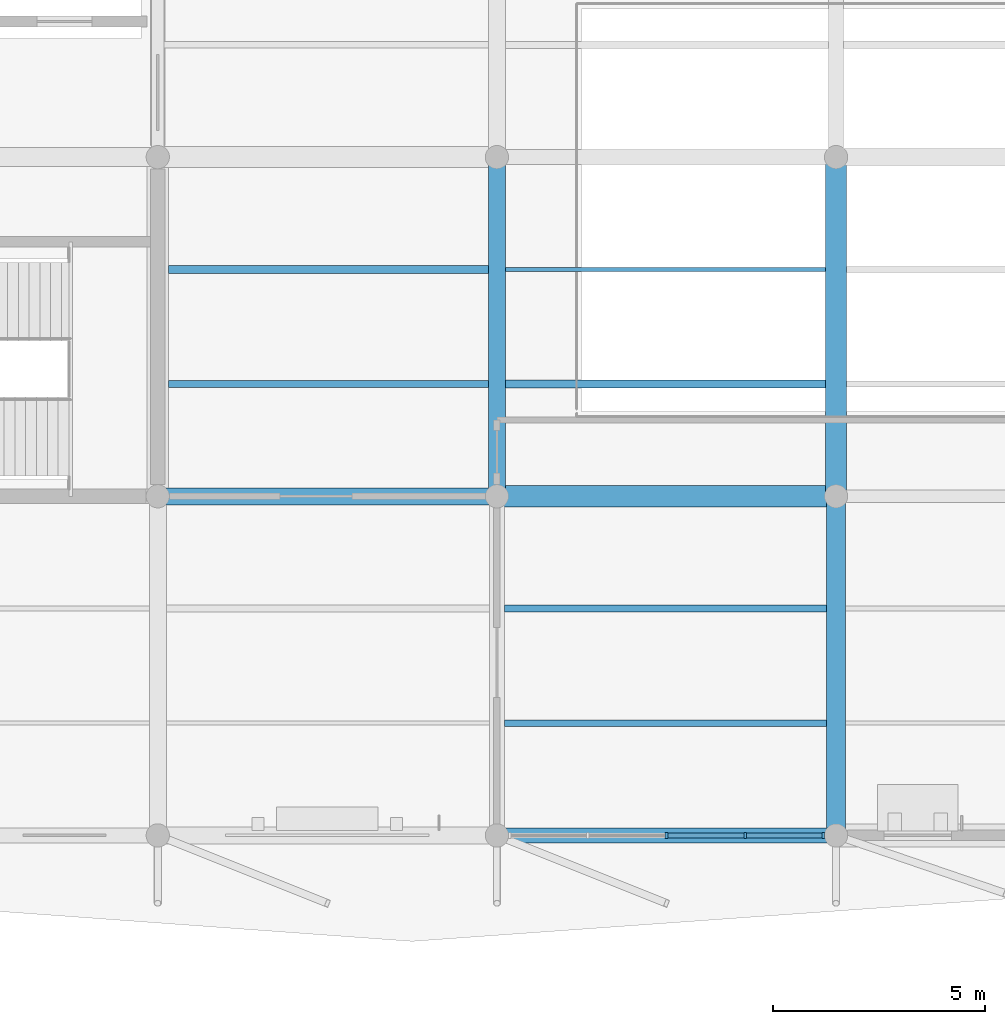
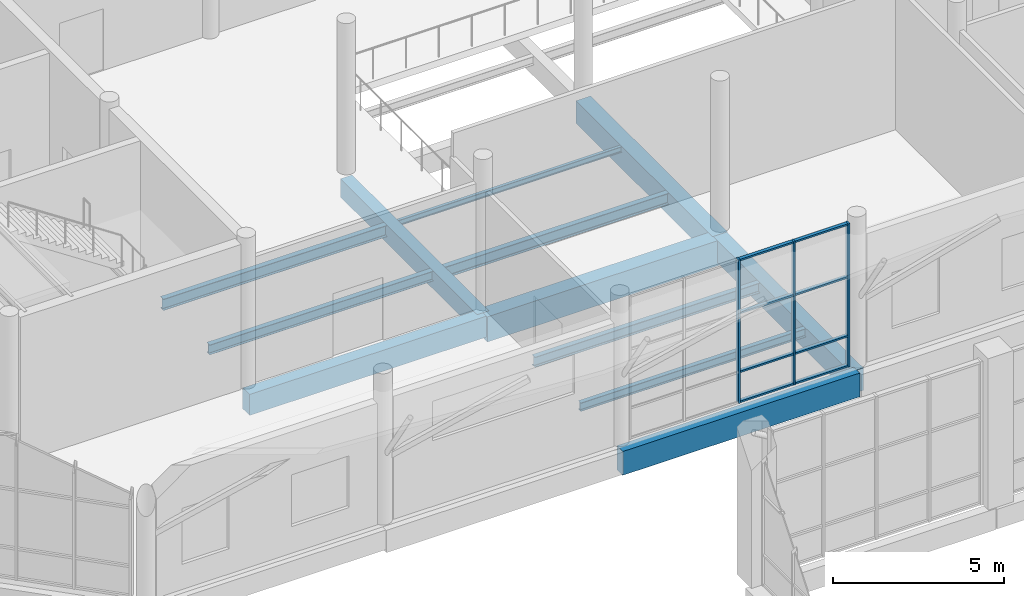
# One storey, part 45 of 122: 12 beams, 11 members, 1 element without a shape of its own.
"""IFC4 building model written with IfcOpenShell, lengths in metres."""

from ifc_helpers import new_model, si_unit, direction, frame, origin, origin_2d, place, context, subcontext, project, spatial, rectangle, i_section, extrude, material, material_profile, profile_set, type_object, element, aggregate, save


model = new_model("IFC4")

# Units and contexts
model_context = context("Model", 3, precision=1e-05, world=origin(), true_north=direction((0.0, 1.0)))
body_context = subcontext(model_context, "Body", "Model", "MODEL_VIEW")
ifc_project = project(units=[si_unit("LENGTHUNIT", "METRE"), si_unit("AREAUNIT", "SQUARE_METRE"), si_unit("VOLUMEUNIT", "CUBIC_METRE"), si_unit("PLANEANGLEUNIT", "RADIAN"), si_unit("MASSUNIT", "GRAM", prefix="KILO")], contexts=[model_context])

# Site, building, storey
site_placement = place(None, origin())
site = spatial("IfcSite", under=ifc_project, at=site_placement, CompositionType="ELEMENT")
building_placement = place(site_placement, origin())
building = spatial("IfcBuilding", under=site, at=building_placement, Name="Tenunan Teduh Sports Hall", CompositionType="ELEMENT")
storey_placement = place(building_placement, frame((0.0, 0.0, 5.39990234375)))
storey = spatial("IfcBuildingStorey", under=building, at=storey_placement, Name="L01", CompositionType="ELEMENT", Elevation=5.39990234375)

# Beams
ifc_material_1 = material(Name="Concrete C40/50", Category="concrete")
ifc_material_profile_1 = material_profile(ifc_material_1, rectangle(XDim=0.39990234375, YDim=0.64990234375, at=origin_2d()), Name="RCB 400x650")
ifc_profile_set_1 = profile_set([ifc_material_profile_1], Name="Concrete C40/50")
beam_type_1 = type_object("IfcBeamType", Name="BM-RC-400x650", PredefinedType="BEAM", material=ifc_profile_set_1)
beam_1_placement = place(storey_placement, frame((122.0, 94.0, -0.5849609375), z_axis=(0.0, 1.0, 0.0), x_axis=(-1.0, 0.0, 0.0)))
element("IfcBeam", 1, at=beam_1_placement, inside=storey, type_object=beam_type_1, Name="BM-B-07-L01-1274", PredefinedType="BEAM", context=body_context, shape_type="SweptSolid", body=[
    extrude(rectangle(XDim=0.39990234375, YDim=0.64990234375, at=origin_2d()), origin(), (0.0, 0.0, 1.0), 8.0),
])
ifc_material_2 = material(Name="Concrete C40/50", Category="concrete")
ifc_material_profile_2 = material_profile(ifc_material_2, rectangle(XDim=0.39990234375, YDim=0.75, at=origin_2d()), Name="RCB 400x750")
ifc_profile_set_2 = profile_set([ifc_material_profile_2], Name="Concrete C40/50")
beam_type_2 = type_object("IfcBeamType", Name="BM-RC-400x750", PredefinedType="BEAM", material=ifc_profile_set_2)
beam_2_placement = place(storey_placement, frame((114.0, 94.0, -0.635009765625), z_axis=(1.0, 0.0, 0.0), x_axis=(0.0, 1.0, 0.0)))
element("IfcBeam", 2, at=beam_2_placement, inside=storey, type_object=beam_type_2, Name="BM-B-09-L01-1132", PredefinedType="BEAM", context=body_context, shape_type="SweptSolid", body=[
    extrude(rectangle(XDim=0.39990234375, YDim=0.75, at=origin_2d()), origin(), (0.0, 0.0, 1.0), 8.0),
])
ifc_material_3 = material(Name="Concrete C40/50", Category="concrete")
ifc_material_profile_3 = material_profile(ifc_material_3, rectangle(XDim=0.449951171875, YDim=0.800048828125, at=origin_2d()), Name="RCB 450x800")
ifc_profile_set_3 = profile_set([ifc_material_profile_3], Name="Concrete C40/50")
beam_type_3 = type_object("IfcBeamType", Name="BM-RC-450x800", PredefinedType="BEAM", material=ifc_profile_set_3)
beam_3_placement = place(storey_placement, frame((130.0, 86.0, -0.659912109375), z_axis=(0.0, 1.0, 0.0), x_axis=(-1.0, 0.0, 0.0)))
element("IfcBeam", 3, at=beam_3_placement, inside=storey, type_object=beam_type_3, Name="BM-B-12-L01-1277", PredefinedType="BEAM", context=body_context, shape_type="SweptSolid", body=[
    extrude(rectangle(XDim=0.449951171875, YDim=0.800048828125, at=origin_2d()), origin(), (0.0, 0.0, 1.0), 8.0),
])
ifc_material_4 = material(Name="Concrete C40/50", Category="concrete")
ifc_material_profile_4 = material_profile(ifc_material_4, rectangle(XDim=0.5, YDim=0.800048828125, at=origin_2d()), Name="RCB 500x800")
ifc_profile_set_4 = profile_set([ifc_material_profile_4], Name="Concrete C40/50")
beam_type_4 = type_object("IfcBeamType", Name="BM-RC-500x800", PredefinedType="BEAM", material=ifc_profile_set_4)
beam_4_placement = place(storey_placement, frame((130.0, 94.0, -0.659912109375), z_axis=(0.0, 1.0, 0.0), x_axis=(-1.0, 0.0, 0.0)))
element("IfcBeam", 4, at=beam_4_placement, inside=storey, type_object=beam_type_4, Name="BM-B-14-L01-1278", PredefinedType="BEAM", context=body_context, shape_type="SweptSolid", body=[
    extrude(rectangle(XDim=0.5, YDim=0.800048828125, at=origin_2d()), origin(), (0.0, 0.0, 1.0), 8.0),
])
ifc_material_5 = material(Name="Concrete C40/50", Category="concrete")
ifc_material_profile_5 = material_profile(ifc_material_5, rectangle(XDim=0.5, YDim=0.89990234375, at=origin_2d()), Name="RCB 500x900")
ifc_profile_set_5 = profile_set([ifc_material_profile_5], Name="Concrete C40/50")
beam_type_5 = type_object("IfcBeamType", Name="BM-RC-500x900", PredefinedType="BEAM", material=ifc_profile_set_5)
beam_5_placement = place(storey_placement, frame((122.0, 94.0, -0.7099609375), z_axis=(1.0, 0.0, 0.0), x_axis=(0.0, 1.0, 0.0)))
element("IfcBeam", 5, at=beam_5_placement, inside=storey, type_object=beam_type_5, Name="BM-B-15-L01-1133", PredefinedType="BEAM", context=body_context, shape_type="SweptSolid", body=[
    extrude(rectangle(XDim=0.5, YDim=0.89990234375, at=origin_2d()), origin(), (0.0, 0.0, 1.0), 8.0),
])
ifc_material_6 = material(Name="Concrete C40/50", Category="concrete")
ifc_material_profile_6 = material_profile(ifc_material_6, rectangle(XDim=0.35009765625, YDim=0.85009765625, at=origin_2d()), Name="SPB 350x850")
ifc_profile_set_6 = profile_set([ifc_material_profile_6], Name="Concrete C40/50")
beam_type_6 = type_object("IfcBeamType", Name="BM-SP-350x850", PredefinedType="SPANDREL", material=ifc_profile_set_6)
beam_6_placement = place(storey_placement, frame((122.0, 86.0, -0.684814453125), z_axis=(1.0, 0.0, 0.0), x_axis=(0.0, 1.0, 0.0)))
element("IfcBeam", 6, at=beam_6_placement, inside=storey, type_object=beam_type_6, Name="BM-SP-02-L01-1116", PredefinedType="SPANDREL", context=body_context, shape_type="SweptSolid", body=[
    extrude(rectangle(XDim=0.35009765625, YDim=0.85009765625, at=origin_2d()), origin(), (0.0, 0.0, 1.0), 8.0),
])

# Curtain wall, members
ifc_material_7 = material(Name="Anodised aluminium", Category="aluminium")
curtain_wall_type = type_object("IfcCurtainWallType", Name="CW-UNIT-1", PredefinedType="NOTDEFINED", material=ifc_material_7)
curtain_wall_placement = place(storey_placement, origin())
curtain_wall = element("IfcCurtainWall", 7, at=curtain_wall_placement, inside=storey, type_object=curtain_wall_type, Name="CW-CWM-150-L01-243", PredefinedType="NOTDEFINED")
ifc_material_8 = material(Name="Anodised aluminium", Category="aluminium")
ifc_material_profile_7 = material_profile(ifc_material_8, rectangle(XDim=0.06005859375, YDim=0.14990234375, at=origin_2d()), Name="CWM 60x150")
ifc_profile_set_7 = profile_set([ifc_material_profile_7], Name="Anodised aluminium")
member_type_1 = type_object("IfcMemberType", Name="CWM-150", PredefinedType="MULLION", material=ifc_profile_set_7)
member_1_placement = place(storey_placement, frame((126.0, 86.0, 0.0), z_axis=(0.0, 0.0, 1.0), x_axis=(1.0, 0.0, 0.0)))
member_1 = element("IfcMember", 8, at=member_1_placement, type_object=member_type_1, Name="CW-01 mullion 3", PredefinedType="MULLION", context=body_context, shape_type="SweptSolid", body=[
    extrude(rectangle(XDim=0.06005859375, YDim=0.14990234375, at=origin_2d()), origin(), (0.0, 0.0, 1.0), 5.1201171875),
])
member_2_placement = place(storey_placement, frame((127.862548828125, 86.0, 0.0), z_axis=(0.0, 0.0, 1.0), x_axis=(1.0, 0.0, 0.0)))
member_2 = element("IfcMember", 9, at=member_2_placement, type_object=member_type_1, Name="CW-01 mullion 4", PredefinedType="MULLION", context=body_context, shape_type="SweptSolid", body=[
    extrude(rectangle(XDim=0.06005859375, YDim=0.14990234375, at=origin_2d()), origin(), (0.0, 0.0, 1.0), 5.1201171875),
])
member_3_placement = place(storey_placement, frame((129.695068359375, 86.0, 0.0), z_axis=(0.0, 0.0, 1.0), x_axis=(1.0, 0.0, 0.0)))
member_3 = element("IfcMember", 10, at=member_3_placement, type_object=member_type_1, Name="CW-01 mullion 5", PredefinedType="MULLION", context=body_context, shape_type="SweptSolid", body=[
    extrude(rectangle(XDim=0.06005859375, YDim=0.14990234375, at=origin_2d()), origin(), (0.0, 0.0, 1.0), 5.1201171875),
])
ifc_material_9 = material(Name="Anodised aluminium", Category="aluminium")
ifc_material_profile_8 = material_profile(ifc_material_9, rectangle(XDim=0.06005859375, YDim=0.1201171875, at=origin_2d()), Name="CWT 60x120")
ifc_profile_set_8 = profile_set([ifc_material_profile_8], Name="Anodised aluminium")
member_type_2 = type_object("IfcMemberType", Name="CWT-125", PredefinedType="USERDEFINED", material=ifc_profile_set_8)
member_4_placement = place(storey_placement, frame((126.030029296875, 86.0, 0.030029296875), z_axis=(1.0, 0.0, 0.0), x_axis=(0.0, 0.0, 1.0)))
member_4 = element("IfcMember", 11, at=member_4_placement, type_object=member_type_2, Name="CW-01 transom 3.1", ObjectType="TRANSOM", PredefinedType="USERDEFINED", context=body_context, shape_type="SweptSolid", body=[
    extrude(rectangle(XDim=0.06005859375, YDim=0.1201171875, at=origin_2d()), origin(), (0.0, 0.0, 1.0), 1.802490234375),
])
member_5_placement = place(storey_placement, frame((126.030029296875, 86.0, 1.10009765625), z_axis=(1.0, 0.0, 0.0), x_axis=(0.0, 0.0, 1.0)))
member_5 = element("IfcMember", 12, at=member_5_placement, type_object=member_type_2, Name="CW-01 transom 3.2", ObjectType="TRANSOM", PredefinedType="USERDEFINED", context=body_context, shape_type="SweptSolid", body=[
    extrude(rectangle(XDim=0.06005859375, YDim=0.1201171875, at=origin_2d()), origin(), (0.0, 0.0, 1.0), 1.802490234375),
])
member_6_placement = place(storey_placement, frame((126.030029296875, 86.0, 3.2001953125), z_axis=(1.0, 0.0, 0.0), x_axis=(0.0, 0.0, 1.0)))
member_6 = element("IfcMember", 13, at=member_6_placement, type_object=member_type_2, Name="CW-01 transom 3.3", ObjectType="TRANSOM", PredefinedType="USERDEFINED", context=body_context, shape_type="SweptSolid", body=[
    extrude(rectangle(XDim=0.06005859375, YDim=0.1201171875, at=origin_2d()), origin(), (0.0, 0.0, 1.0), 1.802490234375),
])
member_7_placement = place(storey_placement, frame((126.030029296875, 86.0, 5.090087890625), z_axis=(1.0, 0.0, 0.0), x_axis=(0.0, 0.0, 1.0)))
member_7 = element("IfcMember", 14, at=member_7_placement, type_object=member_type_2, Name="CW-01 transom 3.4", ObjectType="TRANSOM", PredefinedType="USERDEFINED", context=body_context, shape_type="SweptSolid", body=[
    extrude(rectangle(XDim=0.06005859375, YDim=0.1201171875, at=origin_2d()), origin(), (0.0, 0.0, 1.0), 1.802490234375),
])
member_8_placement = place(storey_placement, frame((127.892578125, 86.0, 0.030029296875), z_axis=(1.0, 0.0, 0.0), x_axis=(0.0, 0.0, 1.0)))
member_8 = element("IfcMember", 15, at=member_8_placement, type_object=member_type_2, Name="CW-01 transom 4.1", ObjectType="TRANSOM", PredefinedType="USERDEFINED", context=body_context, shape_type="SweptSolid", body=[
    extrude(rectangle(XDim=0.06005859375, YDim=0.1201171875, at=origin_2d()), origin(), (0.0, 0.0, 1.0), 1.7724609375),
])
member_9_placement = place(storey_placement, frame((127.892578125, 86.0, 1.10009765625), z_axis=(1.0, 0.0, 0.0), x_axis=(0.0, 0.0, 1.0)))
member_9 = element("IfcMember", 16, at=member_9_placement, type_object=member_type_2, Name="CW-01 transom 4.2", ObjectType="TRANSOM", PredefinedType="USERDEFINED", context=body_context, shape_type="SweptSolid", body=[
    extrude(rectangle(XDim=0.06005859375, YDim=0.1201171875, at=origin_2d()), origin(), (0.0, 0.0, 1.0), 1.7724609375),
])
member_10_placement = place(storey_placement, frame((127.892578125, 86.0, 3.2001953125), z_axis=(1.0, 0.0, 0.0), x_axis=(0.0, 0.0, 1.0)))
member_10 = element("IfcMember", 17, at=member_10_placement, type_object=member_type_2, Name="CW-01 transom 4.3", ObjectType="TRANSOM", PredefinedType="USERDEFINED", context=body_context, shape_type="SweptSolid", body=[
    extrude(rectangle(XDim=0.06005859375, YDim=0.1201171875, at=origin_2d()), origin(), (0.0, 0.0, 1.0), 1.7724609375),
])
member_11_placement = place(storey_placement, frame((127.892578125, 86.0, 5.090087890625), z_axis=(1.0, 0.0, 0.0), x_axis=(0.0, 0.0, 1.0)))
member_11 = element("IfcMember", 18, at=member_11_placement, type_object=member_type_2, Name="CW-01 transom 4.4", ObjectType="TRANSOM", PredefinedType="USERDEFINED", context=body_context, shape_type="SweptSolid", body=[
    extrude(rectangle(XDim=0.06005859375, YDim=0.1201171875, at=origin_2d()), origin(), (0.0, 0.0, 1.0), 1.7724609375),
])
aggregate(curtain_wall, [member_1, member_2, member_3, member_4, member_5, member_6, member_7, member_8, member_9, member_10, member_11])

# Beams
ifc_material_10 = material(Name="Steel S355", Category="steel")
ifc_material_profile_9 = material_profile(ifc_material_10, i_section(OverallWidth=0.10009765625, OverallDepth=0.199951171875, WebThickness=0.005615234375, FlangeThickness=0.008544921875, FilletRadius=0.011962890625, at=origin_2d()), Name="IPE 200")
ifc_profile_set_9 = profile_set([ifc_material_profile_9], Name="Steel S355")
beam_type_7 = type_object("IfcBeamType", Name="JST-IPE200", PredefinedType="JOIST", material=ifc_profile_set_9)
beam_7_placement = place(storey_placement, frame((122.199951171875, 99.35009765625, -0.35986328125), z_axis=(1.0, 0.0, 0.0), x_axis=(0.0, 1.0, 0.0)))
element("IfcBeam", 19, at=beam_7_placement, inside=storey, type_object=beam_type_7, Name="BM-J-01-L01-1413", PredefinedType="JOIST", context=body_context, shape_type="SweptSolid", body=[
    extrude(i_section(OverallWidth=0.10009765625, OverallDepth=0.199951171875, WebThickness=0.005615234375, FlangeThickness=0.008544921875, FilletRadius=0.011962890625, at=origin_2d()), origin(), (0.0, 0.0, 1.0), 7.550048828125),
])
ifc_material_11 = material(Name="Steel S355", Category="steel")
ifc_material_profile_10 = material_profile(ifc_material_11, i_section(OverallWidth=0.14990234375, OverallDepth=0.300048828125, WebThickness=0.007080078125, FlangeThickness=0.0107421875, FilletRadius=0.014892578125, at=origin_2d()), Name="IPE 300")
ifc_profile_set_10 = profile_set([ifc_material_profile_10], Name="Steel S355")
beam_type_8 = type_object("IfcBeamType", Name="JST-IPE300", PredefinedType="JOIST", material=ifc_profile_set_10)
beam_8_placement = place(storey_placement, frame((122.175048828125, 88.64990234375, -0.409912109375), z_axis=(1.0, 0.0, 0.0), x_axis=(0.0, 1.0, 0.0)))
element("IfcBeam", 20, at=beam_8_placement, inside=storey, type_object=beam_type_8, Name="BM-J-04-L01-1410", PredefinedType="JOIST", context=body_context, shape_type="SweptSolid", body=[
    extrude(i_section(OverallWidth=0.14990234375, OverallDepth=0.300048828125, WebThickness=0.007080078125, FlangeThickness=0.0107421875, FilletRadius=0.014892578125, at=origin_2d()), origin(), (0.0, 0.0, 1.0), 7.599853515625),
])
ifc_material_12 = material(Name="Steel S355", Category="steel")
ifc_material_profile_11 = material_profile(ifc_material_12, i_section(OverallWidth=0.169921875, OverallDepth=0.360107421875, WebThickness=0.008056640625, FlangeThickness=0.0126953125, FilletRadius=0.01806640625, at=origin_2d()), Name="IPE 360")
ifc_profile_set_11 = profile_set([ifc_material_profile_11], Name="Steel S355")
beam_type_9 = type_object("IfcBeamType", Name="JST-IPE360", PredefinedType="JOIST", material=ifc_profile_set_11)
beam_9_placement = place(storey_placement, frame((122.175048828125, 91.35009765625, -0.43994140625), z_axis=(1.0, 0.0, 0.0), x_axis=(0.0, 1.0, 0.0)))
element("IfcBeam", 21, at=beam_9_placement, inside=storey, type_object=beam_type_9, Name="BM-J-05-L01-1411", PredefinedType="JOIST", context=body_context, shape_type="SweptSolid", body=[
    extrude(i_section(OverallWidth=0.169921875, OverallDepth=0.360107421875, WebThickness=0.008056640625, FlangeThickness=0.0126953125, FilletRadius=0.01806640625, at=origin_2d()), origin(), (0.0, 0.0, 1.0), 7.599853515625),
])
ifc_material_13 = material(Name="Steel S355", Category="steel")
ifc_material_profile_12 = material_profile(ifc_material_13, i_section(OverallWidth=0.179931640625, OverallDepth=0.39990234375, WebThickness=0.008544921875, FlangeThickness=0.013427734375, FilletRadius=0.02099609375, at=origin_2d()), Name="IPE 400")
ifc_profile_set_12 = profile_set([ifc_material_profile_12], Name="Steel S355")
beam_type_10 = type_object("IfcBeamType", Name="JST-IPE400", PredefinedType="JOIST", material=ifc_profile_set_12)
beam_10_placement = place(storey_placement, frame((122.199951171875, 96.64990234375, -0.4599609375), z_axis=(1.0, 0.0, 0.0), x_axis=(0.0, 1.0, 0.0)))
element("IfcBeam", 22, at=beam_10_placement, inside=storey, type_object=beam_type_10, Name="BM-J-06-L01-1412", PredefinedType="JOIST", context=body_context, shape_type="SweptSolid", body=[
    extrude(i_section(OverallWidth=0.179931640625, OverallDepth=0.39990234375, WebThickness=0.008544921875, FlangeThickness=0.013427734375, FilletRadius=0.02099609375, at=origin_2d()), origin(), (0.0, 0.0, 1.0), 7.550048828125),
])
ifc_material_14 = material(Name="Steel S355", Category="steel")
ifc_material_profile_13 = material_profile(ifc_material_14, i_section(OverallWidth=0.17138671875, OverallDepth=0.35498046875, WebThickness=0.00732421875, FlangeThickness=0.011474609375, FilletRadius=0.01025390625, at=origin_2d()), Name="UKB 356x171x51")
ifc_profile_set_13 = profile_set([ifc_material_profile_13], Name="Steel S355")
beam_type_11 = type_object("IfcBeamType", Name="SBM-UKB356", PredefinedType="BEAM", material=ifc_profile_set_13)
beam_11_placement = place(storey_placement, frame((114.25, 96.64990234375, -0.4375), z_axis=(1.0, 0.0, 0.0), x_axis=(0.0, 1.0, 0.0)))
element("IfcBeam", 23, at=beam_11_placement, inside=storey, type_object=beam_type_11, Name="BM-SB-02-L01-1404", PredefinedType="BEAM", context=body_context, shape_type="SweptSolid", body=[
    extrude(i_section(OverallWidth=0.17138671875, OverallDepth=0.35498046875, WebThickness=0.00732421875, FlangeThickness=0.011474609375, FilletRadius=0.01025390625, at=origin_2d()), origin(), (0.0, 0.0, 1.0), 7.550048828125),
])
ifc_material_15 = material(Name="Steel S355", Category="steel")
ifc_material_profile_14 = material_profile(ifc_material_15, i_section(OverallWidth=0.177978515625, OverallDepth=0.406494140625, WebThickness=0.0078125, FlangeThickness=0.0126953125, FilletRadius=0.01025390625, at=origin_2d()), Name="UKB 406x178x60")
ifc_profile_set_14 = profile_set([ifc_material_profile_14], Name="Steel S355")
beam_type_12 = type_object("IfcBeamType", Name="SBM-UKB406", PredefinedType="BEAM", material=ifc_profile_set_14)
beam_12_placement = place(storey_placement, frame((114.25, 99.35009765625, -0.463134765625), z_axis=(1.0, 0.0, 0.0), x_axis=(0.0, 1.0, 0.0)))
element("IfcBeam", 24, at=beam_12_placement, inside=storey, type_object=beam_type_12, Name="BM-SB-03-L01-1405", PredefinedType="BEAM", context=body_context, shape_type="SweptSolid", body=[
    extrude(i_section(OverallWidth=0.177978515625, OverallDepth=0.406494140625, WebThickness=0.0078125, FlangeThickness=0.0126953125, FilletRadius=0.01025390625, at=origin_2d()), origin(), (0.0, 0.0, 1.0), 7.550048828125),
])

save(model, "model.ifc")
